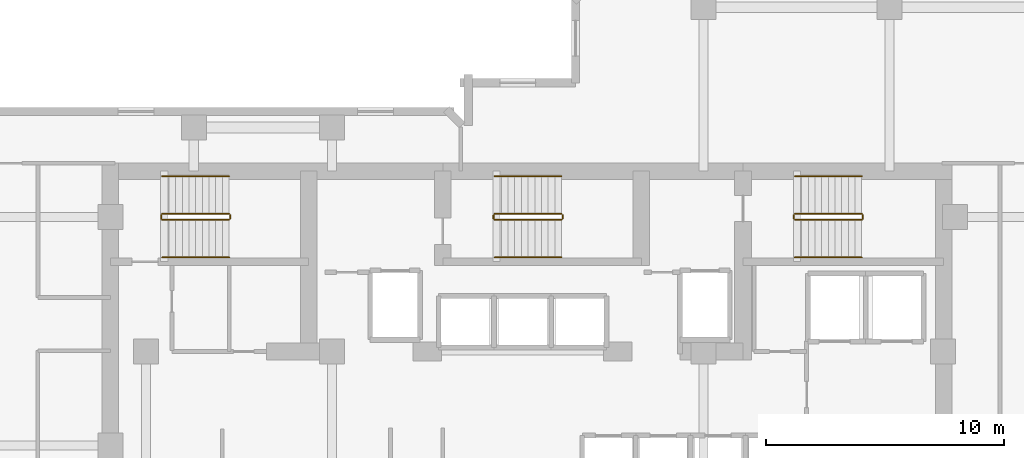
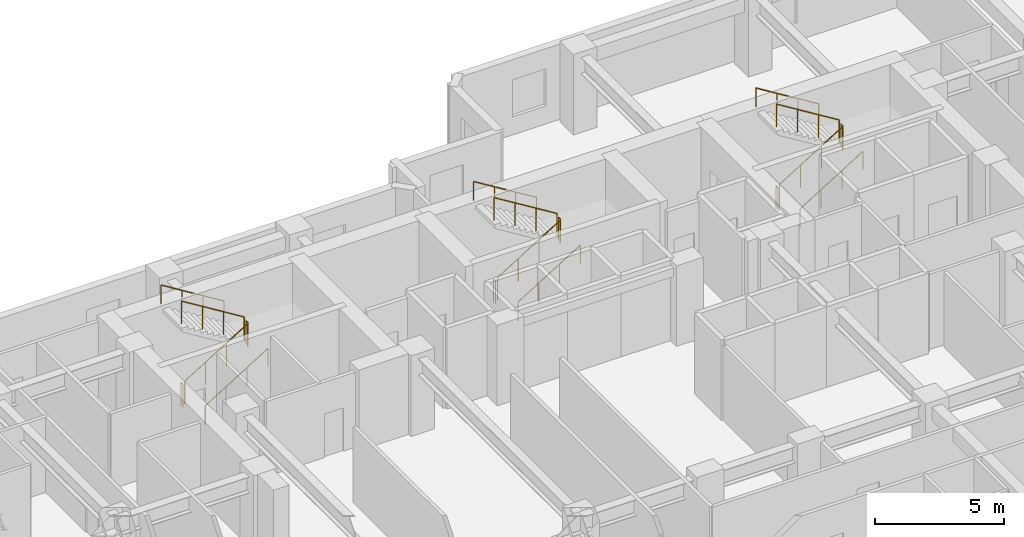
# One storey, part 11 of 11: 18 railings.
"""IFC4 building model written with IfcOpenShell, lengths in metres."""

from ifc_helpers import new_model, si_unit, direction, frame, origin, origin_2d, place, context, subcontext, project, spatial, circle, extrude, material, type_object, element, save


model = new_model("IFC4")

# Units and contexts
model_context = context("Model", 3, precision=1e-05, world=origin(), true_north=direction((0.0, 1.0)))
body_context = subcontext(model_context, "Body", "Model", "MODEL_VIEW")
ifc_project = project(units=[si_unit("LENGTHUNIT", "METRE"), si_unit("AREAUNIT", "SQUARE_METRE"), si_unit("VOLUMEUNIT", "CUBIC_METRE"), si_unit("PLANEANGLEUNIT", "RADIAN"), si_unit("MASSUNIT", "GRAM", prefix="KILO")], contexts=[model_context])

# Site, building, storey
site_placement = place(None, origin())
site = spatial("IfcSite", under=ifc_project, at=site_placement, CompositionType="ELEMENT")
building_placement = place(site_placement, origin())
building = spatial("IfcBuilding", under=site, at=building_placement, Name="Kestravale Grand Hotel", CompositionType="ELEMENT")
storey_placement = place(building_placement, frame((0.0, 0.0, 165.0)))
storey = spatial("IfcBuildingStorey", under=building, at=storey_placement, Name="L41", CompositionType="ELEMENT", Elevation=165.0)

# Railings
ifc_material_1 = material(Name="Painted tubular steel stair well guard", Category="steel")
railing_type_1 = type_object("IfcRailingType", Name="RL-ST-GRD1100", PredefinedType="GUARDRAIL", material=ifc_material_1)
railing_1_placement = place(storey_placement, frame((24.080078125, 38.280029296875, 0.172607421875)))
element("IfcRailing", 1, at=railing_1_placement, inside=storey, type_object=railing_type_1, Name="L41 ST-1 stair guard 1", PredefinedType="GUARDRAIL", context=body_context, shape_type="SweptSolid", body=[
    extrude(circle(Radius=0.02392578125, at=origin_2d()), frame((0.0, 0.0, 1.076171875), z_axis=(0.851069175582, 0.0, 0.525053576669), x_axis=(0.0, 1.0, 0.0)), (0.0, 0.0, 1.0), 3.289794921875),
    extrude(circle(Radius=0.02099609375, at=origin_2d()), origin(), (0.0, 0.0, 1.0), 1.052001953125),
    extrude(circle(Radius=0.02099609375, at=origin_2d()), frame((0.933349609375, 0.0, 0.57568359375)), (0.0, 0.0, 1.0), 1.052001953125),
    extrude(circle(Radius=0.02099609375, at=origin_2d()), frame((1.866455078125, 0.0, 1.151611328125)), (0.0, 0.0, 1.0), 1.052001953125),
    extrude(circle(Radius=0.02099609375, at=origin_2d()), frame((2.7998046875, 0.0, 1.727294921875)), (0.0, 0.0, 1.0), 1.052001953125),
])
railing_2_placement = place(storey_placement, frame((26.929931640625, 38.330078125, 1.89990234375)))
element("IfcRailing", 2, at=railing_2_placement, inside=storey, type_object=railing_type_1, Name="L41 ST-1 stair guard 2", PredefinedType="GUARDRAIL", context=body_context, shape_type="SweptSolid", body=[
    extrude(circle(Radius=0.02392578125, at=origin_2d()), frame((0.0, 0.0, 1.076171875), z_axis=(0.0, 1.0, 0.0), x_axis=(-1.0, 0.0, 0.0)), (0.0, 0.0, 1.0), 0.14990234375),
    extrude(circle(Radius=0.02099609375, at=origin_2d()), origin(), (0.0, 0.0, 1.0), 1.052001953125),
    extrude(circle(Radius=0.02099609375, at=origin_2d()), frame((0.0, 0.14990234375, 0.0)), (0.0, 0.0, 1.0), 1.052001953125),
])
railing_3_placement = place(storey_placement, frame((26.8798828125, 38.530029296875, 2.07275390625)))
element("IfcRailing", 3, at=railing_3_placement, inside=storey, type_object=railing_type_1, Name="L41 ST-1 stair guard 3", PredefinedType="GUARDRAIL", context=body_context, shape_type="SweptSolid", body=[
    extrude(circle(Radius=0.02392578125, at=origin_2d()), frame((0.0, 0.0, 1.076171875), z_axis=(-0.851069175582, 0.0, 0.525053576669), x_axis=(0.0, -1.0, 0.0)), (0.0, 0.0, 1.0), 3.289794921875),
    extrude(circle(Radius=0.02099609375, at=origin_2d()), origin(), (0.0, 0.0, 1.0), 1.052001953125),
    extrude(circle(Radius=0.02099609375, at=origin_2d()), frame((-0.933349609375, 0.0, 0.57568359375)), (0.0, 0.0, 1.0), 1.052001953125),
    extrude(circle(Radius=0.02099609375, at=origin_2d()), frame((-1.866455078125, 0.0, 1.151611328125)), (0.0, 0.0, 1.0), 1.052001953125),
    extrude(circle(Radius=0.02099609375, at=origin_2d()), frame((-2.7998046875, 0.0, 1.727294921875)), (0.0, 0.0, 1.0), 1.052001953125),
])
railing_4_placement = place(storey_placement, frame((24.030029296875, 38.330078125, 0.0)))
element("IfcRailing", 4, at=railing_4_placement, inside=storey, type_object=railing_type_1, Name="L41 ST-1 stair guard 4", PredefinedType="GUARDRAIL", context=body_context, shape_type="SweptSolid", body=[
    extrude(circle(Radius=0.02392578125, at=origin_2d()), frame((0.0, 0.0, 1.076171875), z_axis=(0.0, 1.0, 0.0), x_axis=(-1.0, 0.0, 0.0)), (0.0, 0.0, 1.0), 0.14990234375),
    extrude(circle(Radius=0.02099609375, at=origin_2d()), origin(), (0.0, 0.0, 1.0), 1.052001953125),
    extrude(circle(Radius=0.02099609375, at=origin_2d()), frame((0.0, 0.14990234375, 0.0)), (0.0, 0.0, 1.0), 1.052001953125),
])
railing_5_placement = place(storey_placement, frame((38.030029296875, 38.280029296875, 0.172607421875)))
element("IfcRailing", 5, at=railing_5_placement, inside=storey, type_object=railing_type_1, Name="L41 ST-2 stair guard 1", PredefinedType="GUARDRAIL", context=body_context, shape_type="SweptSolid", body=[
    extrude(circle(Radius=0.02392578125, at=origin_2d()), frame((0.0, 0.0, 1.076171875), z_axis=(0.851089632645, 0.0, 0.525020415988), x_axis=(0.0, 1.0, 0.0)), (0.0, 0.0, 1.0), 3.2900390625),
    extrude(circle(Radius=0.02099609375, at=origin_2d()), origin(), (0.0, 0.0, 1.0), 1.052001953125),
    extrude(circle(Radius=0.02099609375, at=origin_2d()), frame((0.933349609375, 0.0, 0.57568359375)), (0.0, 0.0, 1.0), 1.052001953125),
    extrude(circle(Radius=0.02099609375, at=origin_2d()), frame((1.86669921875, 0.0, 1.151611328125)), (0.0, 0.0, 1.0), 1.052001953125),
    extrude(circle(Radius=0.02099609375, at=origin_2d()), frame((2.800048828125, 0.0, 1.727294921875)), (0.0, 0.0, 1.0), 1.052001953125),
])
railing_6_placement = place(storey_placement, frame((40.8798828125, 38.330078125, 1.89990234375)))
element("IfcRailing", 6, at=railing_6_placement, inside=storey, type_object=railing_type_1, Name="L41 ST-2 stair guard 2", PredefinedType="GUARDRAIL", context=body_context, shape_type="SweptSolid", body=[
    extrude(circle(Radius=0.02392578125, at=origin_2d()), frame((0.0, 0.0, 1.076171875), z_axis=(0.0, 1.0, 0.0), x_axis=(-1.0, 0.0, 0.0)), (0.0, 0.0, 1.0), 0.14990234375),
    extrude(circle(Radius=0.02099609375, at=origin_2d()), origin(), (0.0, 0.0, 1.0), 1.052001953125),
    extrude(circle(Radius=0.02099609375, at=origin_2d()), frame((0.0, 0.14990234375, 0.0)), (0.0, 0.0, 1.0), 1.052001953125),
])
railing_7_placement = place(storey_placement, frame((40.830078125, 38.530029296875, 2.07275390625)))
element("IfcRailing", 7, at=railing_7_placement, inside=storey, type_object=railing_type_1, Name="L41 ST-2 stair guard 3", PredefinedType="GUARDRAIL", context=body_context, shape_type="SweptSolid", body=[
    extrude(circle(Radius=0.02392578125, at=origin_2d()), frame((0.0, 0.0, 1.076171875), z_axis=(-0.851089632645, 0.0, 0.525020415988), x_axis=(0.0, -1.0, 0.0)), (0.0, 0.0, 1.0), 3.2900390625),
    extrude(circle(Radius=0.02099609375, at=origin_2d()), origin(), (0.0, 0.0, 1.0), 1.052001953125),
    extrude(circle(Radius=0.02099609375, at=origin_2d()), frame((-0.933349609375, 0.0, 0.57568359375)), (0.0, 0.0, 1.0), 1.052001953125),
    extrude(circle(Radius=0.02099609375, at=origin_2d()), frame((-1.86669921875, 0.0, 1.151611328125)), (0.0, 0.0, 1.0), 1.052001953125),
    extrude(circle(Radius=0.02099609375, at=origin_2d()), frame((-2.800048828125, 0.0, 1.727294921875)), (0.0, 0.0, 1.0), 1.052001953125),
])
railing_8_placement = place(storey_placement, frame((37.97998046875, 38.330078125, 0.0)))
element("IfcRailing", 8, at=railing_8_placement, inside=storey, type_object=railing_type_1, Name="L41 ST-2 stair guard 4", PredefinedType="GUARDRAIL", context=body_context, shape_type="SweptSolid", body=[
    extrude(circle(Radius=0.02392578125, at=origin_2d()), frame((0.0, 0.0, 1.076171875), z_axis=(0.0, 1.0, 0.0), x_axis=(-1.0, 0.0, 0.0)), (0.0, 0.0, 1.0), 0.14990234375),
    extrude(circle(Radius=0.02099609375, at=origin_2d()), origin(), (0.0, 0.0, 1.0), 1.052001953125),
    extrude(circle(Radius=0.02099609375, at=origin_2d()), frame((0.0, 0.14990234375, 0.0)), (0.0, 0.0, 1.0), 1.052001953125),
])
railing_9_placement = place(storey_placement, frame((50.6298828125, 38.280029296875, 0.172607421875)))
element("IfcRailing", 9, at=railing_9_placement, inside=storey, type_object=railing_type_1, Name="L41 ST-3 stair guard 1", PredefinedType="GUARDRAIL", context=body_context, shape_type="SweptSolid", body=[
    extrude(circle(Radius=0.02392578125, at=origin_2d()), frame((0.0, 0.0, 1.076171875), z_axis=(0.851089632645, 0.0, 0.525020415988), x_axis=(0.0, 1.0, 0.0)), (0.0, 0.0, 1.0), 3.2900390625),
    extrude(circle(Radius=0.02099609375, at=origin_2d()), origin(), (0.0, 0.0, 1.0), 1.052001953125),
    extrude(circle(Radius=0.02099609375, at=origin_2d()), frame((0.933349609375, 0.0, 0.57568359375)), (0.0, 0.0, 1.0), 1.052001953125),
    extrude(circle(Radius=0.02099609375, at=origin_2d()), frame((1.86669921875, 0.0, 1.151611328125)), (0.0, 0.0, 1.0), 1.052001953125),
    extrude(circle(Radius=0.02099609375, at=origin_2d()), frame((2.800048828125, 0.0, 1.727294921875)), (0.0, 0.0, 1.0), 1.052001953125),
])
railing_10_placement = place(storey_placement, frame((53.47998046875, 38.330078125, 1.89990234375)))
element("IfcRailing", 10, at=railing_10_placement, inside=storey, type_object=railing_type_1, Name="L41 ST-3 stair guard 2", PredefinedType="GUARDRAIL", context=body_context, shape_type="SweptSolid", body=[
    extrude(circle(Radius=0.02392578125, at=origin_2d()), frame((0.0, 0.0, 1.076171875), z_axis=(0.0, 1.0, 0.0), x_axis=(-1.0, 0.0, 0.0)), (0.0, 0.0, 1.0), 0.14990234375),
    extrude(circle(Radius=0.02099609375, at=origin_2d()), origin(), (0.0, 0.0, 1.0), 1.052001953125),
    extrude(circle(Radius=0.02099609375, at=origin_2d()), frame((0.0, 0.14990234375, 0.0)), (0.0, 0.0, 1.0), 1.052001953125),
])
railing_11_placement = place(storey_placement, frame((53.429931640625, 38.530029296875, 2.07275390625)))
element("IfcRailing", 11, at=railing_11_placement, inside=storey, type_object=railing_type_1, Name="L41 ST-3 stair guard 3", PredefinedType="GUARDRAIL", context=body_context, shape_type="SweptSolid", body=[
    extrude(circle(Radius=0.02392578125, at=origin_2d()), frame((0.0, 0.0, 1.076171875), z_axis=(-0.851089632645, 0.0, 0.525020415988), x_axis=(0.0, -1.0, 0.0)), (0.0, 0.0, 1.0), 3.2900390625),
    extrude(circle(Radius=0.02099609375, at=origin_2d()), origin(), (0.0, 0.0, 1.0), 1.052001953125),
    extrude(circle(Radius=0.02099609375, at=origin_2d()), frame((-0.933349609375, 0.0, 0.57568359375)), (0.0, 0.0, 1.0), 1.052001953125),
    extrude(circle(Radius=0.02099609375, at=origin_2d()), frame((-1.86669921875, 0.0, 1.151611328125)), (0.0, 0.0, 1.0), 1.052001953125),
    extrude(circle(Radius=0.02099609375, at=origin_2d()), frame((-2.800048828125, 0.0, 1.727294921875)), (0.0, 0.0, 1.0), 1.052001953125),
])
railing_12_placement = place(storey_placement, frame((50.580078125, 38.330078125, 0.0)))
element("IfcRailing", 12, at=railing_12_placement, inside=storey, type_object=railing_type_1, Name="L41 ST-3 stair guard 4", PredefinedType="GUARDRAIL", context=body_context, shape_type="SweptSolid", body=[
    extrude(circle(Radius=0.02392578125, at=origin_2d()), frame((0.0, 0.0, 1.076171875), z_axis=(0.0, 1.0, 0.0), x_axis=(-1.0, 0.0, 0.0)), (0.0, 0.0, 1.0), 0.14990234375),
    extrude(circle(Radius=0.02099609375, at=origin_2d()), origin(), (0.0, 0.0, 1.0), 1.052001953125),
    extrude(circle(Radius=0.02099609375, at=origin_2d()), frame((0.0, 0.14990234375, 0.0)), (0.0, 0.0, 1.0), 1.052001953125),
])
ifc_material_2 = material(Name="Brushed stainless steel wall handrail", Category="steel")
railing_type_2 = type_object("IfcRailingType", Name="RL-ST-HND900", PredefinedType="HANDRAIL", material=ifc_material_2)
railing_13_placement = place(storey_placement, frame((24.080078125, 36.699951171875, 0.172607421875)))
element("IfcRailing", 13, at=railing_13_placement, inside=storey, type_object=railing_type_2, Name="L41 ST-1 stair handrail 1", PredefinedType="HANDRAIL", context=body_context, shape_type="SweptSolid", body=[
    extrude(circle(Radius=0.02392578125, at=origin_2d()), frame((0.0, 0.0, 0.8759765625), z_axis=(0.851069175582, 0.0, 0.525053576669), x_axis=(0.0, 1.0, 0.0)), (0.0, 0.0, 1.0), 3.289794921875),
    extrude(circle(Radius=0.02099609375, at=origin_2d()), origin(), (0.0, 0.0, 1.0), 0.851806640625),
    extrude(circle(Radius=0.02099609375, at=origin_2d()), frame((0.933349609375, 0.0, 0.57568359375)), (0.0, 0.0, 1.0), 0.851806640625),
    extrude(circle(Radius=0.02099609375, at=origin_2d()), frame((1.866455078125, 0.0, 1.151611328125)), (0.0, 0.0, 1.0), 0.851806640625),
    extrude(circle(Radius=0.02099609375, at=origin_2d()), frame((2.7998046875, 0.0, 1.727294921875)), (0.0, 0.0, 1.0), 0.851806640625),
])
railing_14_placement = place(storey_placement, frame((26.8798828125, 40.110107421875, 2.07275390625)))
element("IfcRailing", 14, at=railing_14_placement, inside=storey, type_object=railing_type_2, Name="L41 ST-1 stair handrail 2", PredefinedType="HANDRAIL", context=body_context, shape_type="SweptSolid", body=[
    extrude(circle(Radius=0.02392578125, at=origin_2d()), frame((0.0, 0.0, 0.8759765625), z_axis=(-0.851069175582, 0.0, 0.525053576669), x_axis=(0.0, -1.0, 0.0)), (0.0, 0.0, 1.0), 3.289794921875),
    extrude(circle(Radius=0.02099609375, at=origin_2d()), origin(), (0.0, 0.0, 1.0), 0.851806640625),
    extrude(circle(Radius=0.02099609375, at=origin_2d()), frame((-0.933349609375, 0.0, 0.57568359375)), (0.0, 0.0, 1.0), 0.851806640625),
    extrude(circle(Radius=0.02099609375, at=origin_2d()), frame((-1.866455078125, 0.0, 1.151611328125)), (0.0, 0.0, 1.0), 0.851806640625),
    extrude(circle(Radius=0.02099609375, at=origin_2d()), frame((-2.7998046875, 0.0, 1.727294921875)), (0.0, 0.0, 1.0), 0.851806640625),
])
railing_15_placement = place(storey_placement, frame((38.030029296875, 36.699951171875, 0.172607421875)))
element("IfcRailing", 15, at=railing_15_placement, inside=storey, type_object=railing_type_2, Name="L41 ST-2 stair handrail 1", PredefinedType="HANDRAIL", context=body_context, shape_type="SweptSolid", body=[
    extrude(circle(Radius=0.02392578125, at=origin_2d()), frame((0.0, 0.0, 0.8759765625), z_axis=(0.851089632645, 0.0, 0.525020415988), x_axis=(0.0, 1.0, 0.0)), (0.0, 0.0, 1.0), 3.2900390625),
    extrude(circle(Radius=0.02099609375, at=origin_2d()), origin(), (0.0, 0.0, 1.0), 0.851806640625),
    extrude(circle(Radius=0.02099609375, at=origin_2d()), frame((0.933349609375, 0.0, 0.57568359375)), (0.0, 0.0, 1.0), 0.851806640625),
    extrude(circle(Radius=0.02099609375, at=origin_2d()), frame((1.86669921875, 0.0, 1.151611328125)), (0.0, 0.0, 1.0), 0.851806640625),
    extrude(circle(Radius=0.02099609375, at=origin_2d()), frame((2.800048828125, 0.0, 1.727294921875)), (0.0, 0.0, 1.0), 0.851806640625),
])
railing_16_placement = place(storey_placement, frame((40.830078125, 40.110107421875, 2.07275390625)))
element("IfcRailing", 16, at=railing_16_placement, inside=storey, type_object=railing_type_2, Name="L41 ST-2 stair handrail 2", PredefinedType="HANDRAIL", context=body_context, shape_type="SweptSolid", body=[
    extrude(circle(Radius=0.02392578125, at=origin_2d()), frame((0.0, 0.0, 0.8759765625), z_axis=(-0.851089632645, 0.0, 0.525020415988), x_axis=(0.0, -1.0, 0.0)), (0.0, 0.0, 1.0), 3.2900390625),
    extrude(circle(Radius=0.02099609375, at=origin_2d()), origin(), (0.0, 0.0, 1.0), 0.851806640625),
    extrude(circle(Radius=0.02099609375, at=origin_2d()), frame((-0.933349609375, 0.0, 0.57568359375)), (0.0, 0.0, 1.0), 0.851806640625),
    extrude(circle(Radius=0.02099609375, at=origin_2d()), frame((-1.86669921875, 0.0, 1.151611328125)), (0.0, 0.0, 1.0), 0.851806640625),
    extrude(circle(Radius=0.02099609375, at=origin_2d()), frame((-2.800048828125, 0.0, 1.727294921875)), (0.0, 0.0, 1.0), 0.851806640625),
])
railing_17_placement = place(storey_placement, frame((50.6298828125, 36.699951171875, 0.172607421875)))
element("IfcRailing", 17, at=railing_17_placement, inside=storey, type_object=railing_type_2, Name="L41 ST-3 stair handrail 1", PredefinedType="HANDRAIL", context=body_context, shape_type="SweptSolid", body=[
    extrude(circle(Radius=0.02392578125, at=origin_2d()), frame((0.0, 0.0, 0.8759765625), z_axis=(0.851089632645, 0.0, 0.525020415988), x_axis=(0.0, 1.0, 0.0)), (0.0, 0.0, 1.0), 3.2900390625),
    extrude(circle(Radius=0.02099609375, at=origin_2d()), origin(), (0.0, 0.0, 1.0), 0.851806640625),
    extrude(circle(Radius=0.02099609375, at=origin_2d()), frame((0.933349609375, 0.0, 0.57568359375)), (0.0, 0.0, 1.0), 0.851806640625),
    extrude(circle(Radius=0.02099609375, at=origin_2d()), frame((1.86669921875, 0.0, 1.151611328125)), (0.0, 0.0, 1.0), 0.851806640625),
    extrude(circle(Radius=0.02099609375, at=origin_2d()), frame((2.800048828125, 0.0, 1.727294921875)), (0.0, 0.0, 1.0), 0.851806640625),
])
railing_18_placement = place(storey_placement, frame((53.429931640625, 40.110107421875, 2.07275390625)))
element("IfcRailing", 18, at=railing_18_placement, inside=storey, type_object=railing_type_2, Name="L41 ST-3 stair handrail 2", PredefinedType="HANDRAIL", context=body_context, shape_type="SweptSolid", body=[
    extrude(circle(Radius=0.02392578125, at=origin_2d()), frame((0.0, 0.0, 0.8759765625), z_axis=(-0.851089632645, 0.0, 0.525020415988), x_axis=(0.0, -1.0, 0.0)), (0.0, 0.0, 1.0), 3.2900390625),
    extrude(circle(Radius=0.02099609375, at=origin_2d()), origin(), (0.0, 0.0, 1.0), 0.851806640625),
    extrude(circle(Radius=0.02099609375, at=origin_2d()), frame((-0.933349609375, 0.0, 0.57568359375)), (0.0, 0.0, 1.0), 0.851806640625),
    extrude(circle(Radius=0.02099609375, at=origin_2d()), frame((-1.86669921875, 0.0, 1.151611328125)), (0.0, 0.0, 1.0), 0.851806640625),
    extrude(circle(Radius=0.02099609375, at=origin_2d()), frame((-2.800048828125, 0.0, 1.727294921875)), (0.0, 0.0, 1.0), 0.851806640625),
])

save(model, "model.ifc")
